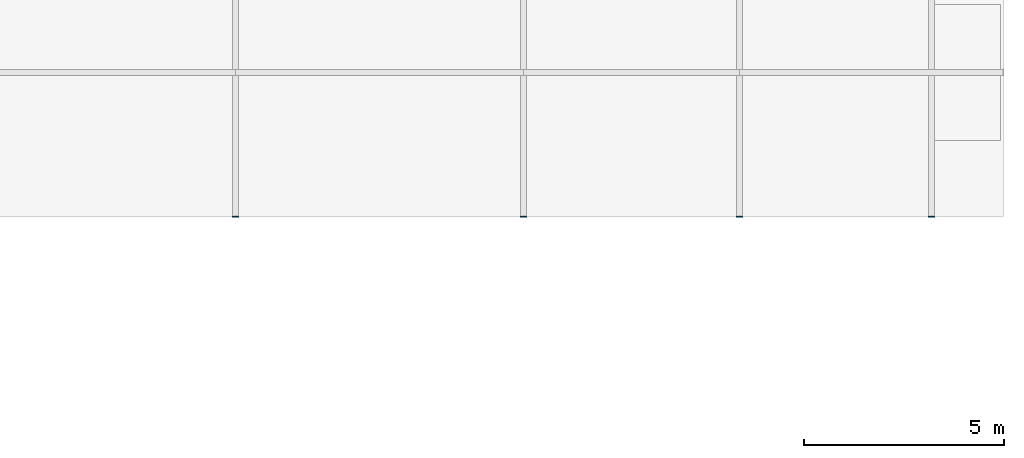
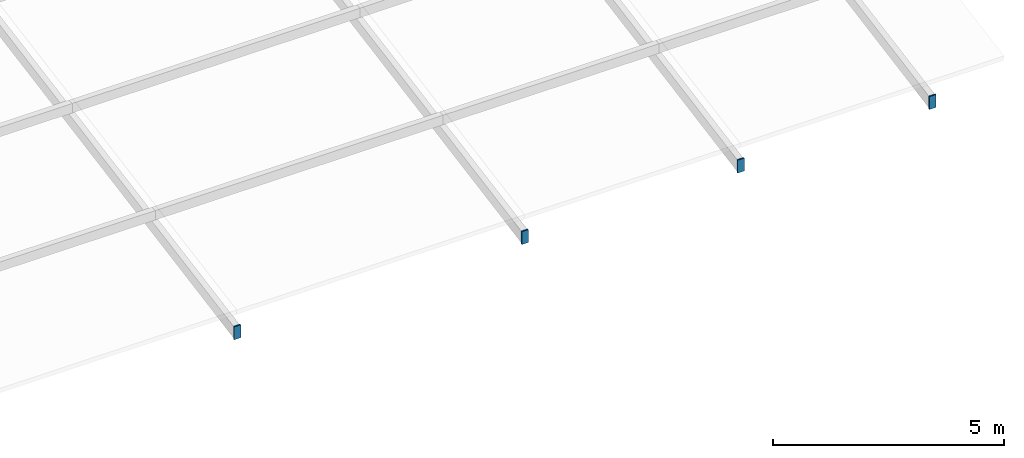
# One storey, part 58 of 63: 8 plates.
"""IFC4 building model written with IfcOpenShell, lengths in metres."""

from ifc_helpers import new_model, si_unit, direction, frame, origin, origin_2d, place, context, subcontext, project, spatial, rectangle, extrude, material, layer, layer_set, type_object, element, save


model = new_model("IFC4")

# Units and contexts
model_context = context("Model", 3, precision=1e-05, world=origin(), true_north=direction((0.0, 1.0)))
body_context = subcontext(model_context, "Body", "Model", "MODEL_VIEW")
ifc_project = project(units=[si_unit("LENGTHUNIT", "METRE"), si_unit("AREAUNIT", "SQUARE_METRE"), si_unit("VOLUMEUNIT", "CUBIC_METRE"), si_unit("PLANEANGLEUNIT", "RADIAN"), si_unit("MASSUNIT", "GRAM", prefix="KILO")], contexts=[model_context])

# Site, building, storey
site_placement = place(None, origin())
site = spatial("IfcSite", under=ifc_project, at=site_placement, CompositionType="ELEMENT")
building_placement = place(site_placement, origin())
building = spatial("IfcBuilding", under=site, at=building_placement, Name="Solvadek Multi-Sports Hall", CompositionType="ELEMENT")
storey_placement = place(building_placement, frame((0.0, 0.0, 19.199951171875)))
storey = spatial("IfcBuildingStorey", under=building, at=storey_placement, Name="RF", CompositionType="ELEMENT", Elevation=19.199951171875)

# Plates
ifc_material = material(Name="Steel E350 (350 MPa)", Category="steel")
ifc_layer = layer(ifc_material, 0.01611328125, Name="Steel E350 (350 MPa)")
ifc_layer_set = layer_set([ifc_layer], Name="Steel E350 (350 MPa)")
plate_type = type_object("IfcPlateType", Name="STR-PLT-CAP16", PredefinedType="USERDEFINED", material=ifc_layer_set)
for number, where, z_axis, x_axis, name in (
    (1, (144.0, 41.99609375, -1.33935546875), (0.0, 0.0, 1.0), (1.0, 0.0, 0.0), "V2 Rafter End Cap Plate #75"),
    (2, (144.0, 41.97900390625, -1.34375), (0.0, 0.0, 1.0), (1.0, 0.0, 0.0), "V2 Rafter Shoe Cap Plate #76"),
    (3, (151.199951171875, 41.99609375, -1.33935546875), (0.0, 0.0, 1.0), (1.0, 0.0, 0.0), "V2 Rafter End Cap Plate #83"),
    (4, (151.199951171875, 41.97900390625, -1.34375), (0.0, 0.0, 1.0), (1.0, 0.0, 0.0), "V2 Rafter Shoe Cap Plate #84"),
    (5, (156.60009765625, 41.99609375, -1.33935546875), (0.0, 0.0, 1.0), (1.0, 0.0, 0.0), "V2 Rafter End Cap Plate #91"),
    (6, (156.60009765625, 41.97900390625, -1.34375), (0.0, 0.0, 1.0), (1.0, 0.0, 0.0), "V2 Rafter Shoe Cap Plate #92"),
    (7, (161.39990234375, 41.99609375, -1.33935546875), (0.0, 0.0, 1.0), (1.0, 0.0, 0.0), "V2 Rafter End Cap Plate #95"),
    (8, (161.39990234375, 41.97900390625, -1.34375), (0.0, 0.0, 1.0), (1.0, 0.0, 0.0), "V2 Rafter Shoe Cap Plate #96"),
):
    element("IfcPlate", number, at=place(storey_placement, frame(where, z_axis=z_axis, x_axis=x_axis)), inside=storey, type_object=plate_type, Name=name, ObjectType="BASE_PLATE", PredefinedType="USERDEFINED", context=body_context, shape_type="SweptSolid", body=[
        extrude(rectangle(XDim=0.169921875, YDim=0.01611328125, at=origin_2d()), origin(), (0.0, 0.0, 1.0), 0.340087890625),
    ])

save(model, "model.ifc")
